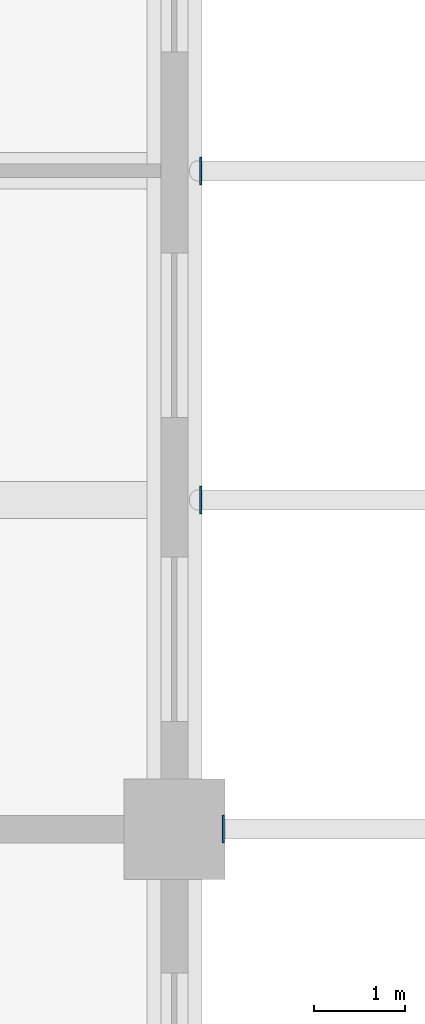
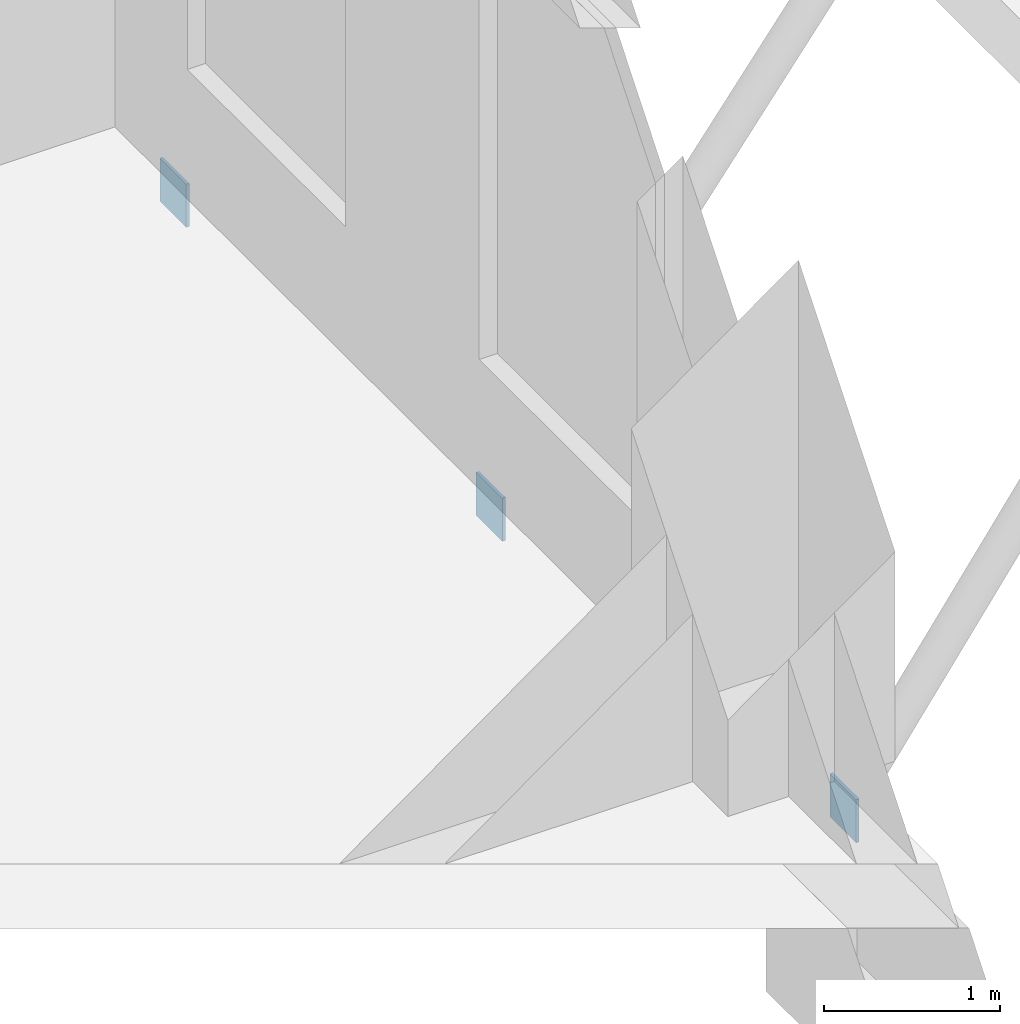
# One storey, part 33 of 38: 3 discrete accessories.
"""IFC4 building model written with IfcOpenShell, lengths in metres."""

import ifcopenshell
import ifcopenshell.guid

model = None  # the IFC model being written
_history = None  # IfcOwnerHistory: only IFC2X3 demands one
_inside = {}  # id of a spatial element -> (the spatial element, [elements in it])
_under = {}  # id of a project, library or spatial element -> (it, [spatial elements below it])
_declared = {}  # id of a project -> (the project, [libraries it declares])
_typed = {}  # id of a type object -> (the type object, [elements of that type])
_made_of = {}  # id of a material, layer set ... -> (it, [elements and type objects made of it])


def new_model(schema):
    """Start an empty IFC model of exactly this schema.

    Asked for "IFC4X3", IfcOpenShell would pick the latest addendum, in which some entities
    have other attributes; the version numbers below select the first issue.
    IFC2X3 requires an IfcOwnerHistory on every rooted entity: one is made here for all.
    """
    global model, _history
    if schema == "IFC4X3":
        model = ifcopenshell.file(schema_version=(4, 3, 0, 0))
    else:
        model = ifcopenshell.file(schema=schema)
    _inside.clear()
    _under.clear()
    _declared.clear()
    _typed.clear()
    _made_of.clear()
    _history = None
    if model.schema == "IFC2X3":
        org = make("IfcOrganization", Name="unknown")
        user = make(
            "IfcPersonAndOrganization",
            ThePerson=make("IfcPerson", FamilyName="unknown"),
            TheOrganization=org,
        )
        app = make(
            "IfcApplication",
            ApplicationDeveloper=org,
            Version="unknown",
            ApplicationFullName="unknown",
            ApplicationIdentifier="unknown",
        )
        _history = make(
            "IfcOwnerHistory",
            OwningUser=user,
            OwningApplication=app,
            ChangeAction="ADDED",
            CreationDate=0,
        )
    return model


def make(cls, **values):
    """One entity of the class cls with the attributes given. An attribute that is None is left unset."""
    return model.create_entity(
        cls, **{name: value for name, value in values.items() if value is not None}
    )


def rooted(cls, **values):
    """An entity with a GlobalId (a new one), such as an element, a storey or a relation."""
    return make(cls, GlobalId=ifcopenshell.guid.new(), OwnerHistory=_history, **values)


def si_unit(unit_type, name, prefix=None):
    """IfcSIUnit, for example si_unit("LENGTHUNIT", "METRE", prefix="MILLI")."""
    return make("IfcSIUnit", UnitType=unit_type, Prefix=prefix, Name=name)


def assignment(units):
    """IfcUnitAssignment: the units of a project."""
    return None if units is None else make("IfcUnitAssignment", Units=units)


def point(xyz):
    """IfcCartesianPoint."""
    return None if xyz is None else make("IfcCartesianPoint", Coordinates=xyz)


def direction(xyz):
    """IfcDirection."""
    return None if xyz is None else make("IfcDirection", DirectionRatios=xyz)


def frame(location, z_axis=None, x_axis=None):
    """IfcAxis2Placement3D, a coordinate frame: its origin and axes. An axis left out is left unset."""
    return make(
        "IfcAxis2Placement3D",
        Location=point(location),
        Axis=direction(z_axis),
        RefDirection=direction(x_axis),
    )


def frame_2d(location, x_axis=None):
    """IfcAxis2Placement2D, a coordinate frame in the plane: its origin and x axis."""
    return make(
        "IfcAxis2Placement2D", Location=point(location), RefDirection=direction(x_axis)
    )


def origin():
    """The frame at (0, 0, 0) with its axes left unset."""
    return frame((0.0, 0.0, 0.0))


def origin_2d():
    """The frame at (0, 0) in the plane with its x axis left unset."""
    return frame_2d((0.0, 0.0))


def place(relative_to, where):
    """IfcLocalPlacement: puts the frame where relative to a parent placement (None: the world)."""
    return make(
        "IfcLocalPlacement", PlacementRelTo=relative_to, RelativePlacement=where
    )


def context(
    kind, dimensions, precision=None, world=None, true_north=None, identifier=None
):
    """IfcGeometricRepresentationContext, for example the 3D "Model" context."""
    return make(
        "IfcGeometricRepresentationContext",
        ContextIdentifier=identifier,
        ContextType=kind,
        CoordinateSpaceDimension=dimensions,
        Precision=precision,
        WorldCoordinateSystem=world,
        TrueNorth=true_north,
    )


def subcontext(parent, identifier, kind, view, scale=None):
    """IfcGeometricRepresentationSubContext, for example "Body" below "Model"."""
    return make(
        "IfcGeometricRepresentationSubContext",
        ContextIdentifier=identifier,
        ContextType=kind,
        ParentContext=parent,
        TargetScale=scale,
        TargetView=view,
    )


def project(units=None, contexts=None):
    """IfcProject with its units and contexts."""
    return rooted(
        "IfcProject",
        Name="project",
        RepresentationContexts=contexts,
        UnitsInContext=assignment(units),
    )


def spatial(cls, under=None, at=None, **own):
    """A site, building, storey or space (cls), placed at a placement, below another one or the project."""
    s = rooted(cls, ObjectPlacement=at, **own)
    if under is not None:
        _under.setdefault(under.id(), (under, []))[1].append(s)
    return s


def profile(cls, at=None, kind="AREA", **sizes):
    """A parametric profile (cls). Its sizes go by their IFC names, for example OverallWidth=200.0."""
    return make(cls, ProfileType=kind, Position=at, **sizes)


def rectangle(**sizes):
    """IfcRectangleProfileDef."""
    return profile("IfcRectangleProfileDef", **sizes)


def extrude(swept, where, along, depth):
    """IfcExtrudedAreaSolid: the profile swept, set in the frame where, extruded along a direction by depth."""
    return make(
        "IfcExtrudedAreaSolid",
        SweptArea=swept,
        Position=where,
        ExtrudedDirection=direction(along),
        Depth=depth,
    )


def shape(context_of_items, identifier, shape_type, items):
    """IfcShapeRepresentation: the items that make up one representation, for example the "Body"."""
    return make(
        "IfcShapeRepresentation",
        ContextOfItems=context_of_items,
        RepresentationIdentifier=identifier,
        RepresentationType=shape_type,
        Items=items,
    )


def material(Name=None, Category=None):
    """IfcMaterial."""
    return make("IfcMaterial", Name=Name, Category=Category)


def made_of(thing, what):
    """Note that an element or type object is made of a material, layer set ...; save() writes the relation."""
    if what is not None:
        _made_of.setdefault(what.id(), (what, []))[1].append(thing)
    return thing


def type_object(cls, material=None, **own):
    """A type object (cls), such as IfcWallType, which elements share."""
    return made_of(rooted(cls, **own), material)


def element(
    cls,
    number,
    at=None,
    inside=None,
    cuts=None,
    type_object=None,
    material=None,
    context=None,
    identifier="Body",
    shape_type=None,
    held_by="IfcProductDefinitionShape",
    body=None,
    shapes=None,
    **own,
):
    """One element of the class cls, such as IfcWall. Its Tag is "e" and its number.

    at: its placement. inside: the storey or other place that contains it. cuts: it is an
    opening in that element (IfcRelVoidsElement). A single representation is given by context,
    identifier, shape_type and body (its items); several are given by shapes. held_by: the class
    of the entity that holds the representations. save() writes the other relations.
    """
    e = rooted(cls, Tag="e%d" % number, ObjectPlacement=at, **own)
    if body is not None:
        shapes = [shape(context, identifier, shape_type, body)]
    if shapes is not None:
        e.Representation = make(held_by, Representations=shapes)
    if inside is not None:
        _inside.setdefault(inside.id(), (inside, []))[1].append(e)
    if cuts is not None:
        rooted(
            "IfcRelVoidsElement", RelatingBuildingElement=cuts, RelatedOpeningElement=e
        )
    if type_object is not None:
        _typed.setdefault(type_object.id(), (type_object, []))[1].append(e)
    return made_of(e, material)


def aggregate(whole, parts):
    """IfcRelAggregates: a whole, such as a stair, and the parts it consists of."""
    return rooted("IfcRelAggregates", RelatingObject=whole, RelatedObjects=parts)


def save(model, path):
    """Write the relations noted so far, then the file.

    IfcRelAggregates (storeys below a building ...), IfcRelContainedInSpatialStructure (elements
    in a storey), IfcRelDefinesByType, IfcRelAssociatesMaterial and IfcRelDeclares: one each for
    every whole, place, type object, material and project.
    """
    for whole, parts in _under.values():
        aggregate(whole, parts)
    for where, things in _inside.values():
        rooted(
            "IfcRelContainedInSpatialStructure",
            RelatedElements=things,
            RelatingStructure=where,
        )
    for kind, things in _typed.values():
        rooted("IfcRelDefinesByType", RelatedObjects=things, RelatingType=kind)
    for what, things in _made_of.values():
        rooted("IfcRelAssociatesMaterial", RelatedObjects=things, RelatingMaterial=what)
    for by, libraries in _declared.values():
        rooted("IfcRelDeclares", RelatingContext=by, RelatedDefinitions=libraries)
    model.write(path)


model = new_model("IFC4")

# Units and contexts
model_context = context("Model", 3, precision=1e-05, world=origin(), true_north=direction((0.0, 1.0)))
body_context = subcontext(model_context, "Body", "Model", "MODEL_VIEW")
ifc_project = project(units=[si_unit("LENGTHUNIT", "METRE"), si_unit("AREAUNIT", "SQUARE_METRE"), si_unit("VOLUMEUNIT", "CUBIC_METRE"), si_unit("PLANEANGLEUNIT", "RADIAN"), si_unit("MASSUNIT", "GRAM", prefix="KILO")], contexts=[model_context])

# Site, building, storey
site_placement = place(None, origin())
site = spatial("IfcSite", under=ifc_project, at=site_placement, CompositionType="ELEMENT")
building_placement = place(site_placement, origin())
building = spatial("IfcBuilding", under=site, at=building_placement, Name="Basin Gate Institute", CompositionType="ELEMENT")
storey_placement = place(building_placement, frame((0.0, 0.0, 16.800048828125)))
storey = spatial("IfcBuildingStorey", under=building, at=storey_placement, Name="L03", CompositionType="ELEMENT", Elevation=16.800048828125)

# Discrete accessories
ifc_material = material(Name="Structural steel SN490", Category="steel")
discrete_accessory_type = type_object("IfcDiscreteAccessoryType", Name="Brace end plate BP300", PredefinedType="BRACKET", material=ifc_material)
for number, where, z_axis, x_axis, name in (
    (1, (119.334716796875, 78.300048828125, -0.80126953125), (0.0, 0.0, 1.0), (1.0, 0.0, 0.0), "Tray bracket E L04 tray 2.1 end plate 1"),
    (2, (119.086181640625, 81.89990234375, -0.80224609375), (0.0, 0.0, 1.0), (1.0, 0.0, 0.0), "Tray bracket E L04 tray 2.2 end plate 1"),
    (3, (119.086181640625, 85.5, -0.80224609375), (0.0, 0.0, 1.0), (1.0, 0.0, 0.0), "Tray bracket E L04 tray 2.3 end plate 1"),
):
    element("IfcDiscreteAccessory", number, at=place(storey_placement, frame(where, z_axis=z_axis, x_axis=x_axis)), inside=storey, type_object=discrete_accessory_type, material=ifc_material, Name=name, PredefinedType="BRACKET", context=body_context, shape_type="SweptSolid", body=[
        extrude(rectangle(XDim=0.02001953125, YDim=0.300048828125, at=origin_2d()), origin(), (0.0, 0.0, 1.0), 0.300048828125),
    ])

save(model, "model.ifc")
